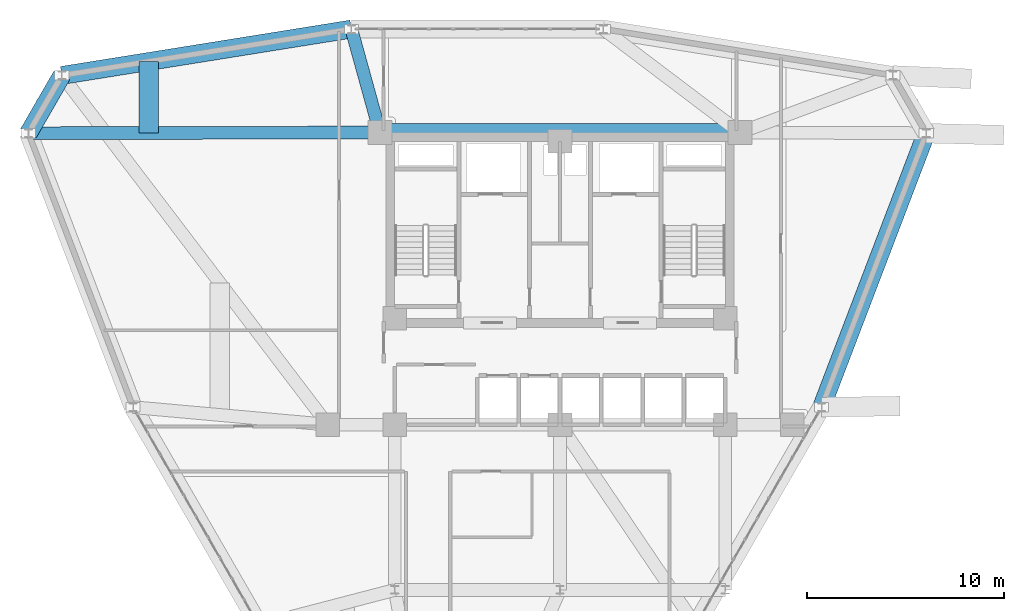
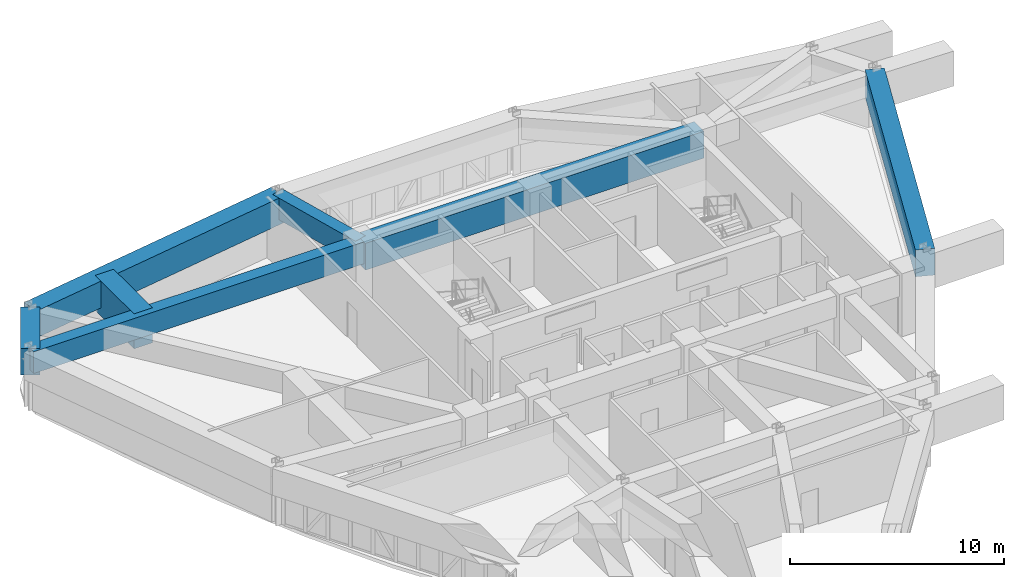
# One storey, part 7 of 15: 7 beams.
"""IFC4 building model written with IfcOpenShell, lengths in metres."""

from ifc_helpers import new_model, si_unit, derived_unit, direction, frame, origin, origin_2d, place, context, subcontext, project, spatial, rectangle, extrude, source, transform, mapped, material, material_profile, profile_set, type_object, element, save


model = new_model("IFC4")

# Units and contexts
model_context = context("Model", 3, precision=1e-05, world=origin(), true_north=direction((0.0, 1.0)))
body_context = subcontext(model_context, "Body", "Model", "MODEL_VIEW")
ifc_project = project(units=[si_unit("LENGTHUNIT", "METRE"), si_unit("AREAUNIT", "SQUARE_METRE"), si_unit("VOLUMEUNIT", "CUBIC_METRE"), si_unit("PLANEANGLEUNIT", "RADIAN"), si_unit("MASSUNIT", "GRAM", prefix="KILO"), derived_unit("THERMALTRANSMITTANCEUNIT", [(si_unit("POWERUNIT", "WATT"), 1), (si_unit("LENGTHUNIT", "METRE"), -2), (si_unit("THERMODYNAMICTEMPERATUREUNIT", "KELVIN"), -1)])], contexts=[model_context])

# Site, building, storey
site_placement = place(None, origin())
site = spatial("IfcSite", under=ifc_project, at=site_placement, CompositionType="ELEMENT")
building_placement = place(site_placement, origin())
building = spatial("IfcBuilding", under=site, at=building_placement, Name="Korsvarv Bourse and Concert Hall", CompositionType="ELEMENT")
storey_placement = place(building_placement, frame((0.0, 0.0, 165.0)))
storey = spatial("IfcBuildingStorey", under=building, at=storey_placement, Name="L42", CompositionType="ELEMENT", Elevation=165.0)

# Beams
ifc_material_1 = material(Name="Concrete C50/60", Category="concrete")
ifc_material_profile_1 = material_profile(ifc_material_1, rectangle(XDim=0.919921875, YDim=1.530029296875, at=origin_2d()), Name="RC-BM 920x1530")
ifc_profile_set_1 = profile_set([ifc_material_profile_1], Name="Concrete C50/60")
beam_type_1 = type_object("IfcBeamType", Name="BM-TR-154", PredefinedType="BEAM", material=ifc_profile_set_1)
shared_shape_1 = source(origin(), body_context, "Body", "SweptSolid", [
    extrude(rectangle(XDim=0.919921875, YDim=1.530029296875, at=origin_2d()), origin(), (0.0, 0.0, 1.0), 18.2998046875),
])
beam_1_placement = place(storey_placement, frame((26.85009765625, 47.25, 2.60498046875), z_axis=(1.0, 0.0, 0.0), x_axis=(0.0, 1.0, 0.0)))
element("IfcBeam", 1, at=beam_1_placement, inside=storey, type_object=beam_type_1, Name="L42 beam B-TR6", PredefinedType="BEAM", context=body_context, shape_type="MappedRepresentation", body=[
    mapped(shared_shape_1, transform((0.0, 0.0, 0.0), scale=1.0)),
])
shared_shape_2 = source(origin(), body_context, "Body", "SweptSolid", [
    extrude(rectangle(XDim=0.919921875, YDim=1.530029296875, at=origin_2d()), origin(), (0.0, 0.0, 1.0), 3.391357421875),
])
beam_2_placement = place(storey_placement, frame((10.681396484375, 50.15087890625, 2.60498046875), z_axis=(-0.500025713471, -0.866010557596, 0.0), x_axis=(0.866010557596, -0.500025713471, 0.0)))
element("IfcBeam", 2, at=beam_2_placement, inside=storey, type_object=beam_type_1, Name="L42 beam B-TR6", PredefinedType="BEAM", context=body_context, shape_type="MappedRepresentation", body=[
    mapped(shared_shape_2, transform((0.0, 0.0, 0.0), scale=1.0)),
])
shared_shape_3 = source(origin(), body_context, "Body", "SweptSolid", [
    extrude(rectangle(XDim=0.919921875, YDim=1.530029296875, at=origin_2d()), origin(), (0.0, 0.0, 1.0), 14.90478515625),
])
beam_3_placement = place(storey_placement, frame((49.296630859375, 33.2900390625, 2.60498046875), z_axis=(0.356775123781, 0.934190297023, 0.0), x_axis=(-0.934190297023, 0.356775123781, 0.0)))
element("IfcBeam", 3, at=beam_3_placement, inside=storey, type_object=beam_type_1, Name="L42 beam B-TR6", PredefinedType="BEAM", context=body_context, shape_type="MappedRepresentation", body=[
    mapped(shared_shape_3, transform((0.0, 0.0, 0.0), scale=1.0)),
])
shared_shape_4 = source(origin(), body_context, "Body", "SweptSolid", [
    extrude(rectangle(XDim=0.919921875, YDim=1.530029296875, at=origin_2d()), origin(), (0.0, 0.0, 1.0), 14.904541015625),
])
beam_4_placement = place(storey_placement, frame((25.3984375, 52.507568359375, 2.60498046875), z_axis=(-0.987420077934, -0.158118909977, 0.0), x_axis=(0.158118909977, -0.987420077934, 0.0)))
element("IfcBeam", 4, at=beam_4_placement, inside=storey, type_object=beam_type_1, Name="L42 beam B-TR6", PredefinedType="BEAM", context=body_context, shape_type="MappedRepresentation", body=[
    mapped(shared_shape_4, transform((0.0, 0.0, 0.0), scale=1.0)),
])
ifc_material_profile_2 = material_profile(ifc_material_1, rectangle(XDim=0.64990234375, YDim=1.239990234375, at=origin_2d()), Name="RC-BM 650x1240")
ifc_profile_set_2 = profile_set([ifc_material_profile_2], Name="Concrete C50/60")
beam_type_2 = type_object("IfcBeamType", Name="BM-TR-SPN", PredefinedType="BEAM", material=ifc_profile_set_2)
shared_shape_5 = source(origin(), body_context, "Body", "SweptSolid", [
    extrude(rectangle(XDim=0.64990234375, YDim=1.239990234375, at=origin_2d()), origin(), (0.0, 0.0, 1.0), 5.454345703125),
])
beam_5_placement = place(storey_placement, frame((25.3984375, 52.507568359375, 2.75), z_axis=(0.266149878832, -0.963931658365, 0.0), x_axis=(0.963931658365, 0.266149878832, 0.0)))
element("IfcBeam", 5, at=beam_5_placement, inside=storey, type_object=beam_type_2, Name="L42 beam B-TRS", PredefinedType="BEAM", context=body_context, shape_type="MappedRepresentation", body=[
    mapped(shared_shape_5, transform((0.0, 0.0, 0.0), scale=1.0)),
])
shared_shape_6 = source(origin(), body_context, "Body", "SweptSolid", [
    extrude(rectangle(XDim=0.64990234375, YDim=1.239990234375, at=origin_2d()), origin(), (0.0, 0.0, 1.0), 17.864501953125),
])
beam_6_placement = place(storey_placement, frame((8.985595703125, 47.2138671875, 2.75), z_axis=(0.999997954543, 0.002022599829, 0.0), x_axis=(-0.002022599829, 0.999997954543, 0.0)))
element("IfcBeam", 6, at=beam_6_placement, inside=storey, type_object=beam_type_2, Name="L42 beam B-TRS", PredefinedType="BEAM", context=body_context, shape_type="MappedRepresentation", body=[
    mapped(shared_shape_6, transform((0.0, 0.0, 0.0), scale=1.0)),
])
ifc_material_2 = material(Name="Concrete C60/75", Category="concrete")
ifc_material_profile_3 = material_profile(ifc_material_2, rectangle(XDim=1.0, YDim=2.0, at=origin_2d()), Name="RC-BM 1000x2000")
ifc_profile_set_3 = profile_set([ifc_material_profile_3], Name="Concrete C60/75")
beam_type_3 = type_object("IfcBeamType", Name="BM-TR1", PredefinedType="BEAM", material=ifc_profile_set_3)
shared_shape_7 = source(origin(), body_context, "Body", "SweptSolid", [
    extrude(rectangle(XDim=1.0, YDim=2.0, at=origin_2d()), origin(), (0.0, 0.0, 1.0), 3.6318359375),
])
beam_7_placement = place(storey_placement, frame((15.09765625, 47.226318359375, 2.3701171875), z_axis=(0.0, 1.0, 0.0), x_axis=(-1.0, 0.0, 0.0)))
element("IfcBeam", 7, at=beam_7_placement, inside=storey, type_object=beam_type_3, Name="L42 Block-Shift Transverse Transfer Girder 5", PredefinedType="BEAM", context=body_context, shape_type="MappedRepresentation", body=[
    mapped(shared_shape_7, transform((0.0, 0.0, 0.0), scale=1.0)),
])

save(model, "model.ifc")
